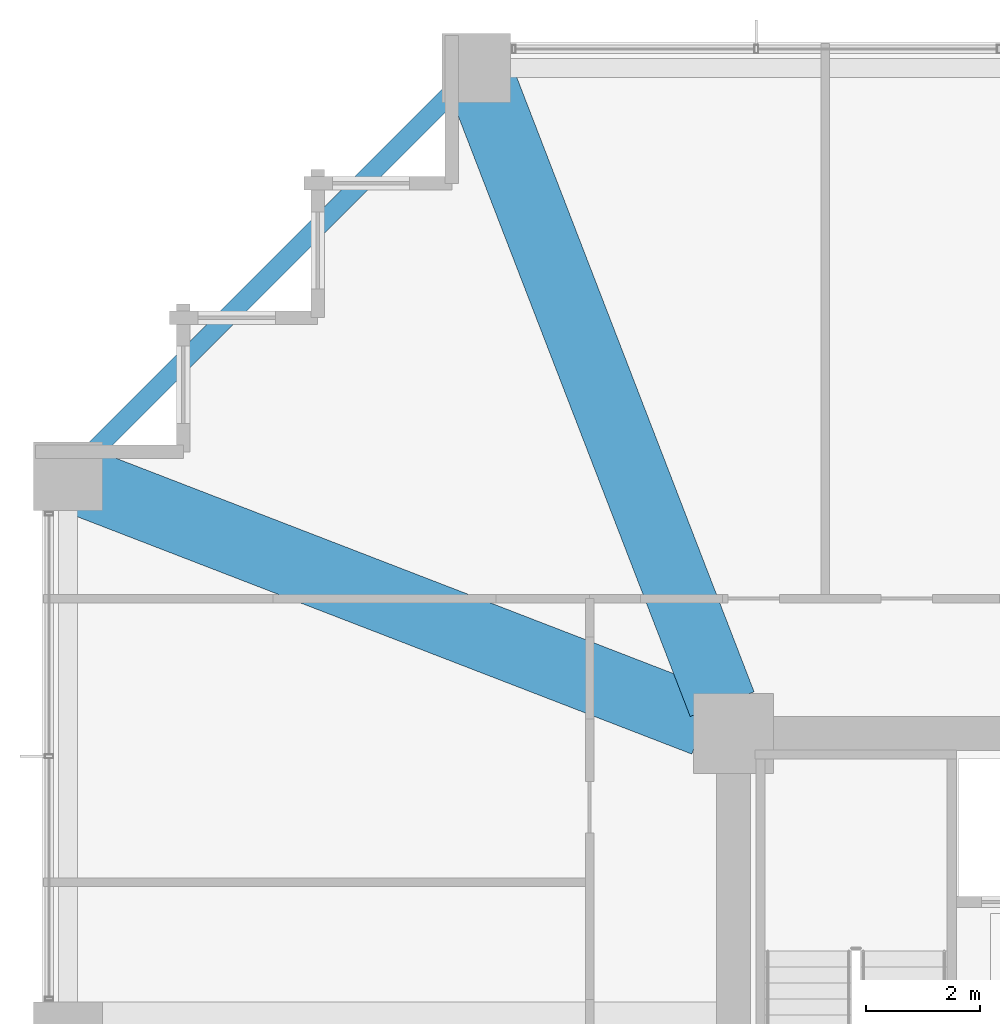
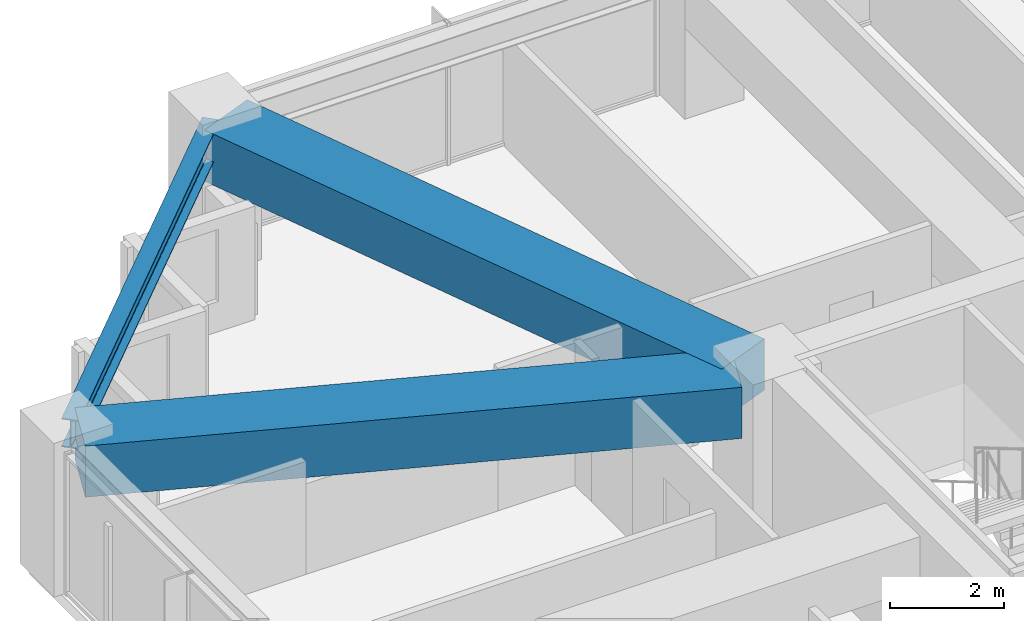
# One storey, part 18 of 37: 3 beams.
"""IFC4 building model written with IfcOpenShell, lengths in metres."""

from ifc_helpers import new_model, si_unit, direction, frame, origin, origin_2d, place, context, subcontext, project, spatial, rectangle, i_section, extrude, material, material_profile, profile_set, type_object, element, save


model = new_model("IFC4")

# Units and contexts
model_context = context("Model", 3, precision=1e-05, world=origin(), true_north=direction((0.0, 1.0)))
body_context = subcontext(model_context, "Body", "Model", "MODEL_VIEW")
ifc_project = project(units=[si_unit("LENGTHUNIT", "METRE"), si_unit("AREAUNIT", "SQUARE_METRE"), si_unit("VOLUMEUNIT", "CUBIC_METRE"), si_unit("PLANEANGLEUNIT", "RADIAN"), si_unit("MASSUNIT", "GRAM", prefix="KILO")], contexts=[model_context])

# Site, building, storey
site_placement = place(None, origin())
site = spatial("IfcSite", under=ifc_project, at=site_placement, CompositionType="ELEMENT")
building_placement = place(site_placement, origin())
building = spatial("IfcBuilding", under=site, at=building_placement, Name="Kolvaren Belvedere", CompositionType="ELEMENT")
storey_placement = place(building_placement, frame((0.0, 0.0, 37.0)))
storey = spatial("IfcBuildingStorey", under=building, at=storey_placement, Name="L10", CompositionType="ELEMENT", Elevation=37.0)

# Beams
ifc_material_1 = material(Name="Structural steel ASTM A992 Grade 50", Category="steel")
ifc_material_profile_1 = material_profile(ifc_material_1, i_section(OverallWidth=0.324951171875, OverallDepth=0.615966796875, WebThickness=0.013916015625, FlangeThickness=0.021484375, FilletRadius=0.02001953125, at=origin_2d()), Name="W24X117")
ifc_profile_set_1 = profile_set([ifc_material_profile_1], Name="Structural steel ASTM A992 Grade 50")
beam_type_1 = type_object("IfcBeamType", Name="BM-SPAN-W24X117", PredefinedType="SPANDREL", material=ifc_profile_set_1)
beam_placement = place(storey_placement, frame((-14.5908203125, 21.359130859375, 2.751953125), z_axis=(-0.707106781187, -0.707106781187, 0.0), x_axis=(0.707106781187, -0.707106781187, 0.0)))
element("IfcBeam", 1, at=beam_placement, inside=storey, type_object=beam_type_1, Name="L10 Perimeter Spandrel N1-W4", PredefinedType="SPANDREL", context=body_context, shape_type="SweptSolid", body=[
    extrude(i_section(OverallWidth=0.324951171875, OverallDepth=0.615966796875, WebThickness=0.013916015625, FlangeThickness=0.021484375, FilletRadius=0.02001953125, at=origin_2d()), origin(), (0.0, 0.0, 1.0), 9.57177734375),
])
ifc_material_2 = material(Name="Concrete C50/60", Category="concrete")
ifc_material_profile_2 = material_profile(ifc_material_2, rectangle(XDim=1.199951171875, YDim=1.10009765625, at=origin_2d()), Name="RC 1200X1100")
ifc_profile_set_2 = profile_set([ifc_material_profile_2], Name="Concrete C50/60")
beam_type_2 = type_object("IfcBeamType", Name="BM-TG-1100", PredefinedType="BEAM", material=ifc_profile_set_2)
for number, where, z_axis, x_axis, name in (
    (2, (-10.09814453125, 10.4130859375, 2.510009765625), (-0.360318391835, 0.932829382313, 0.0), (-0.932829382313, -0.360318391835, 0.0), "L10 Corner Core-to-Perimeter Girder CC4-N1"),
    (3, (-10.4130859375, 10.09814453125, 2.510009765625), (-0.932829382313, 0.360318391835, 0.0), (-0.360318391835, -0.932829382313, 0.0), "L10 Corner Core-to-Perimeter Girder CC4-W4"),
):
    element("IfcBeam", number, at=place(storey_placement, frame(where, z_axis=z_axis, x_axis=x_axis)), inside=storey, type_object=beam_type_2, Name=name, PredefinedType="BEAM", context=body_context, shape_type="SweptSolid", body=[
        extrude(rectangle(XDim=1.199951171875, YDim=1.10009765625, at=origin_2d()), origin(), (0.0, 0.0, 1.0), 11.698974609375),
    ])

save(model, "model.ifc")
